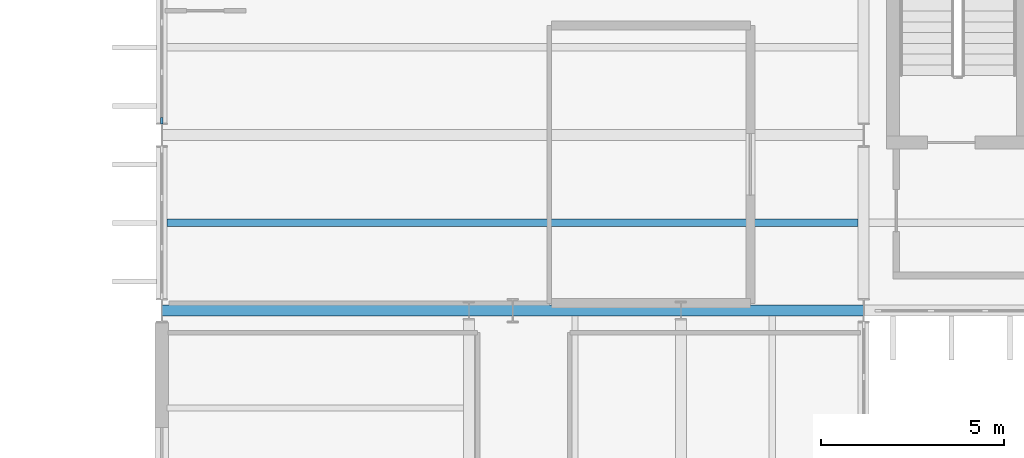
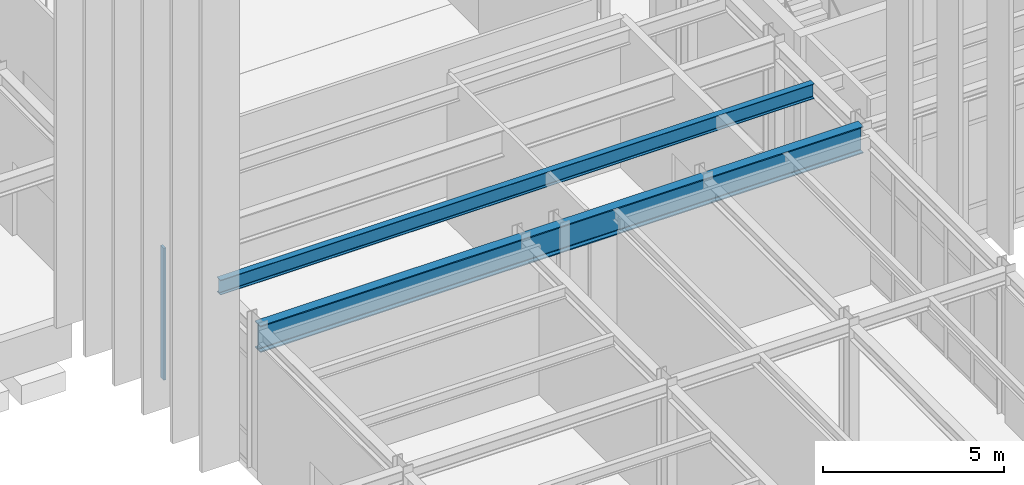
# One storey, part 36 of 109: 2 beams, 1 member, 1 element without a shape of its own.
"""IFC4 building model written with IfcOpenShell, lengths in metres."""

from ifc_helpers import new_model, si_unit, direction, frame, origin, origin_2d, place, context, subcontext, project, spatial, rectangle, i_section, extrude, material, layer, layer_set, material_profile, profile_set, type_object, element, aggregate, save


model = new_model("IFC4")

# Units and contexts
model_context = context("Model", 3, precision=1e-05, world=origin(), true_north=direction((0.0, 1.0)))
body_context = subcontext(model_context, "Body", "Model", "MODEL_VIEW")
ifc_project = project(units=[si_unit("LENGTHUNIT", "METRE"), si_unit("AREAUNIT", "SQUARE_METRE"), si_unit("VOLUMEUNIT", "CUBIC_METRE"), si_unit("PLANEANGLEUNIT", "RADIAN"), si_unit("MASSUNIT", "GRAM", prefix="KILO")], contexts=[model_context])

# Site, building, storey
site_placement = place(None, origin())
site = spatial("IfcSite", under=ifc_project, at=site_placement, CompositionType="ELEMENT")
building_placement = place(site_placement, origin())
building = spatial("IfcBuilding", under=site, at=building_placement, Name="Nordkorset Police Headquarters", CompositionType="ELEMENT")
storey_placement = place(building_placement, origin())
storey = spatial("IfcBuildingStorey", under=building, at=storey_placement, Name="L00", CompositionType="ELEMENT", Elevation=0.0)

# Beam
ifc_material_1 = material(Name="Steel S355J2", Category="steel")
ifc_material_profile_1 = material_profile(ifc_material_1, i_section(OverallWidth=0.199951171875, OverallDepth=0.5, WebThickness=0.01025390625, FlangeThickness=0.01611328125, FilletRadius=0.02099609375, at=origin_2d()), Name="IPE 500")
ifc_profile_set_1 = profile_set([ifc_material_profile_1], Name="Steel S355J2")
beam_type_1 = type_object("IfcBeamType", Name="Beam_IPE_500", PredefinedType="BEAM", material=ifc_profile_set_1)
beam_1_placement = place(storey_placement, frame((0.14990234375, 85.60009765625, 4.75), z_axis=(1.0, 0.0, 0.0), x_axis=(0.0, 1.0, 0.0)))
element("IfcBeam", 1, at=beam_1_placement, inside=storey, type_object=beam_type_1, Name="Composite Floor Beam V1 L00 0-0-1", PredefinedType="BEAM", context=body_context, shape_type="SweptSolid", body=[
    extrude(i_section(OverallWidth=0.199951171875, OverallDepth=0.5, WebThickness=0.01025390625, FlangeThickness=0.01611328125, FilletRadius=0.02099609375, at=origin_2d()), origin(), (0.0, 0.0, 1.0), 18.900146484375),
])

# Curtain wall, member
ifc_material_2 = material(Name="Aluminium alloy AW-6060", Category="aluminium")
ifc_layer = layer(ifc_material_2, 0.179931640625, Name="Aluminium alloy AW-6060")
ifc_layer_set = layer_set([ifc_layer], Name="Aluminium alloy AW-6060")
curtain_wall_type = type_object("IfcCurtainWallType", Name="CW_Unit_408x444", PredefinedType="USERDEFINED", material=ifc_layer_set)
curtain_wall_placement = place(storey_placement, origin())
curtain_wall = element("IfcCurtainWall", 2, at=curtain_wall_placement, inside=storey, type_object=curtain_wall_type, Name="Unitised Curtain Wall L00 V1W-1", ObjectType="UNITISED CURTAIN WALL", PredefinedType="USERDEFINED")
ifc_material_3 = material(Name="Aluminium alloy AW-6060", Category="aluminium")
ifc_material_profile_2 = material_profile(ifc_material_3, rectangle(XDim=0.06494140625, YDim=0.179931640625, at=origin_2d()), Name="ALU MULL 65x180")
ifc_profile_set_2 = profile_set([ifc_material_profile_2], Name="Aluminium alloy AW-6060")
member_type = type_object("IfcMemberType", Name="CW_Mullion_65x180", PredefinedType="MULLION", material=ifc_profile_set_2)
member_placement = place(storey_placement, frame((0.0, 88.392578125, 0.0), z_axis=(0.0, 0.0, 1.0), x_axis=(-1.0, 0.0, 0.0)))
member = element("IfcMember", 3, at=member_placement, type_object=member_type, Name="CW-66 mullion 1", PredefinedType="MULLION", context=body_context, shape_type="SweptSolid", body=[
    extrude(rectangle(XDim=0.06494140625, YDim=0.179931640625, at=origin_2d()), origin(), (0.0, 0.0, 1.0), 4.43994140625),
])
aggregate(curtain_wall, [member])

# Beam
ifc_material_4 = material(Name="Steel S355J2", Category="steel")
ifc_material_profile_3 = material_profile(ifc_material_4, i_section(OverallWidth=0.300048828125, OverallDepth=0.89990234375, WebThickness=0.0185546875, FlangeThickness=0.034912109375, FilletRadius=0.030029296875, at=origin_2d()), Name="HEB 900")
ifc_profile_set_3 = profile_set([ifc_material_profile_3], Name="Steel S355J2")
beam_type_2 = type_object("IfcBeamType", Name="Girder_HEB_900", PredefinedType="USERDEFINED", material=ifc_profile_set_3)
beam_2_placement = place(storey_placement, frame((0.008056640625, 83.199951171875, 4.550048828125), z_axis=(1.0, 0.0, 0.0), x_axis=(0.0, 1.0, 0.0)))
element("IfcBeam", 4, at=beam_2_placement, inside=storey, type_object=beam_type_2, Name="Girder V1 L00 GX-0-0", ObjectType="GIRDER", PredefinedType="USERDEFINED", context=body_context, shape_type="SweptSolid", body=[
    extrude(i_section(OverallWidth=0.300048828125, OverallDepth=0.89990234375, WebThickness=0.0185546875, FlangeThickness=0.034912109375, FilletRadius=0.030029296875, at=origin_2d()), origin(), (0.0, 0.0, 1.0), 19.183837890625),
])

save(model, "model.ifc")
